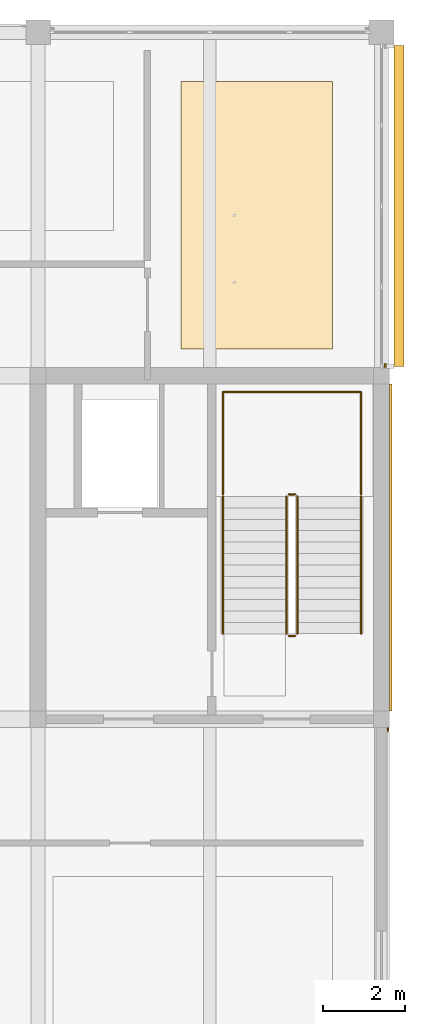
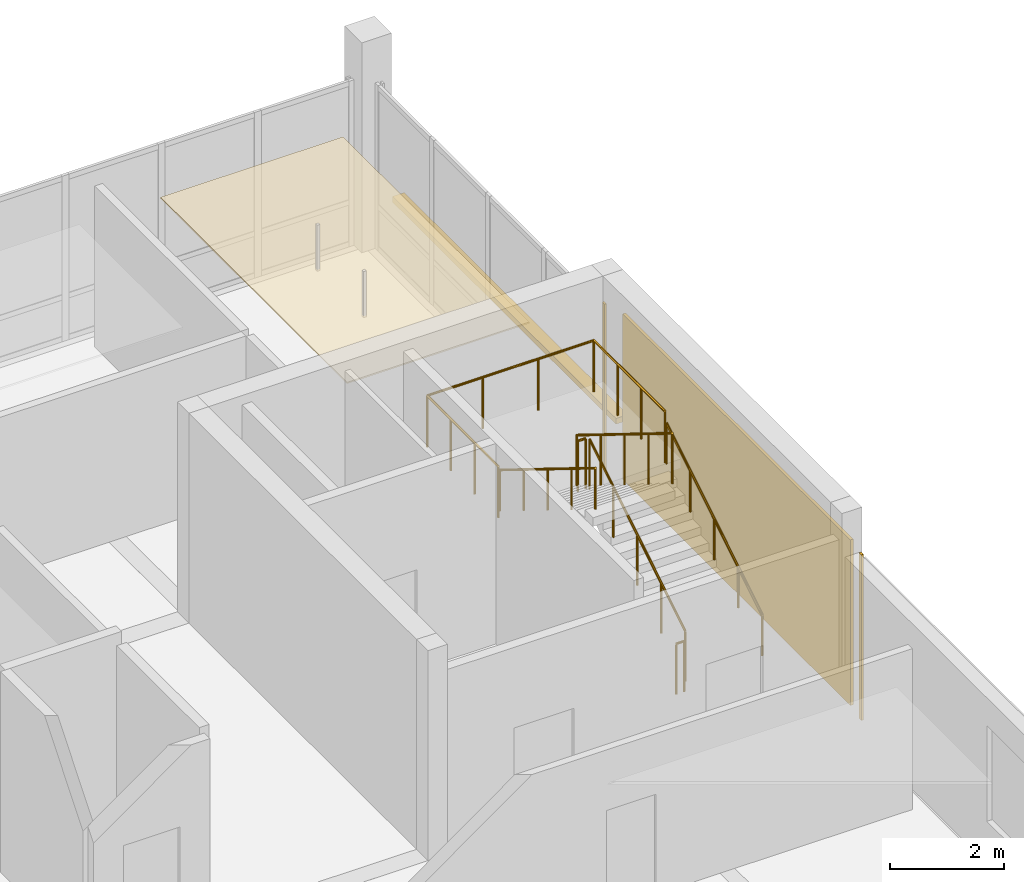
# One storey, part 28 of 30: 7 railings, 4 coverings, 1 shading device.
"""IFC4 building model written with IfcOpenShell, lengths in metres."""

import ifcopenshell
import ifcopenshell.guid

model = None  # the IFC model being written
_history = None  # IfcOwnerHistory: only IFC2X3 demands one
_inside = {}  # id of a spatial element -> (the spatial element, [elements in it])
_under = {}  # id of a project, library or spatial element -> (it, [spatial elements below it])
_declared = {}  # id of a project -> (the project, [libraries it declares])
_typed = {}  # id of a type object -> (the type object, [elements of that type])
_made_of = {}  # id of a material, layer set ... -> (it, [elements and type objects made of it])


def new_model(schema):
    """Start an empty IFC model of exactly this schema.

    Asked for "IFC4X3", IfcOpenShell would pick the latest addendum, in which some entities
    have other attributes; the version numbers below select the first issue.
    IFC2X3 requires an IfcOwnerHistory on every rooted entity: one is made here for all.
    """
    global model, _history
    if schema == "IFC4X3":
        model = ifcopenshell.file(schema_version=(4, 3, 0, 0))
    else:
        model = ifcopenshell.file(schema=schema)
    _inside.clear()
    _under.clear()
    _declared.clear()
    _typed.clear()
    _made_of.clear()
    _history = None
    if model.schema == "IFC2X3":
        org = make("IfcOrganization", Name="unknown")
        user = make(
            "IfcPersonAndOrganization",
            ThePerson=make("IfcPerson", FamilyName="unknown"),
            TheOrganization=org,
        )
        app = make(
            "IfcApplication",
            ApplicationDeveloper=org,
            Version="unknown",
            ApplicationFullName="unknown",
            ApplicationIdentifier="unknown",
        )
        _history = make(
            "IfcOwnerHistory",
            OwningUser=user,
            OwningApplication=app,
            ChangeAction="ADDED",
            CreationDate=0,
        )
    return model


def make(cls, **values):
    """One entity of the class cls with the attributes given. An attribute that is None is left unset."""
    return model.create_entity(
        cls, **{name: value for name, value in values.items() if value is not None}
    )


def rooted(cls, **values):
    """An entity with a GlobalId (a new one), such as an element, a storey or a relation."""
    return make(cls, GlobalId=ifcopenshell.guid.new(), OwnerHistory=_history, **values)


def si_unit(unit_type, name, prefix=None):
    """IfcSIUnit, for example si_unit("LENGTHUNIT", "METRE", prefix="MILLI")."""
    return make("IfcSIUnit", UnitType=unit_type, Prefix=prefix, Name=name)


def assignment(units):
    """IfcUnitAssignment: the units of a project."""
    return None if units is None else make("IfcUnitAssignment", Units=units)


def point(xyz):
    """IfcCartesianPoint."""
    return None if xyz is None else make("IfcCartesianPoint", Coordinates=xyz)


def direction(xyz):
    """IfcDirection."""
    return None if xyz is None else make("IfcDirection", DirectionRatios=xyz)


def frame(location, z_axis=None, x_axis=None):
    """IfcAxis2Placement3D, a coordinate frame: its origin and axes. An axis left out is left unset."""
    return make(
        "IfcAxis2Placement3D",
        Location=point(location),
        Axis=direction(z_axis),
        RefDirection=direction(x_axis),
    )


def frame_2d(location, x_axis=None):
    """IfcAxis2Placement2D, a coordinate frame in the plane: its origin and x axis."""
    return make(
        "IfcAxis2Placement2D", Location=point(location), RefDirection=direction(x_axis)
    )


def origin():
    """The frame at (0, 0, 0) with its axes left unset."""
    return frame((0.0, 0.0, 0.0))


def origin_2d():
    """The frame at (0, 0) in the plane with its x axis left unset."""
    return frame_2d((0.0, 0.0))


def place(relative_to, where):
    """IfcLocalPlacement: puts the frame where relative to a parent placement (None: the world)."""
    return make(
        "IfcLocalPlacement", PlacementRelTo=relative_to, RelativePlacement=where
    )


def context(
    kind, dimensions, precision=None, world=None, true_north=None, identifier=None
):
    """IfcGeometricRepresentationContext, for example the 3D "Model" context."""
    return make(
        "IfcGeometricRepresentationContext",
        ContextIdentifier=identifier,
        ContextType=kind,
        CoordinateSpaceDimension=dimensions,
        Precision=precision,
        WorldCoordinateSystem=world,
        TrueNorth=true_north,
    )


def subcontext(parent, identifier, kind, view, scale=None):
    """IfcGeometricRepresentationSubContext, for example "Body" below "Model"."""
    return make(
        "IfcGeometricRepresentationSubContext",
        ContextIdentifier=identifier,
        ContextType=kind,
        ParentContext=parent,
        TargetScale=scale,
        TargetView=view,
    )


def project(units=None, contexts=None):
    """IfcProject with its units and contexts."""
    return rooted(
        "IfcProject",
        Name="project",
        RepresentationContexts=contexts,
        UnitsInContext=assignment(units),
    )


def spatial(cls, under=None, at=None, **own):
    """A site, building, storey or space (cls), placed at a placement, below another one or the project."""
    s = rooted(cls, ObjectPlacement=at, **own)
    if under is not None:
        _under.setdefault(under.id(), (under, []))[1].append(s)
    return s


def polyline(points):
    """IfcPolyline through the points."""
    return make("IfcPolyline", Points=[point(p) for p in points])


def profile(cls, at=None, kind="AREA", **sizes):
    """A parametric profile (cls). Its sizes go by their IFC names, for example OverallWidth=200.0."""
    return make(cls, ProfileType=kind, Position=at, **sizes)


def rectangle(**sizes):
    """IfcRectangleProfileDef."""
    return profile("IfcRectangleProfileDef", **sizes)


def circle(**sizes):
    """IfcCircleProfileDef."""
    return profile("IfcCircleProfileDef", **sizes)


def outline(outer, holes=None, kind="AREA"):
    """IfcArbitraryClosedProfileDef: a profile drawn as a closed curve; with holes, ...WithVoids."""
    if holes is None:
        return make("IfcArbitraryClosedProfileDef", ProfileType=kind, OuterCurve=outer)
    return make(
        "IfcArbitraryProfileDefWithVoids",
        ProfileType=kind,
        OuterCurve=outer,
        InnerCurves=holes,
    )


def extrude(swept, where, along, depth):
    """IfcExtrudedAreaSolid: the profile swept, set in the frame where, extruded along a direction by depth."""
    return make(
        "IfcExtrudedAreaSolid",
        SweptArea=swept,
        Position=where,
        ExtrudedDirection=direction(along),
        Depth=depth,
    )


def shape(context_of_items, identifier, shape_type, items):
    """IfcShapeRepresentation: the items that make up one representation, for example the "Body"."""
    return make(
        "IfcShapeRepresentation",
        ContextOfItems=context_of_items,
        RepresentationIdentifier=identifier,
        RepresentationType=shape_type,
        Items=items,
    )


def material(Name=None, Category=None):
    """IfcMaterial."""
    return make("IfcMaterial", Name=Name, Category=Category)


def layer(
    of_material, thickness, ventilated=None, Name=None, Category=None, Priority=None
):
    """IfcMaterialLayer: one layer of a wall or slab, of a material (None: an air gap)."""
    return make(
        "IfcMaterialLayer",
        Material=of_material,
        LayerThickness=thickness,
        IsVentilated=ventilated,
        Name=Name,
        Category=Category,
        Priority=Priority,
    )


def layer_set(layers, Name=None):
    """IfcMaterialLayerSet."""
    return make("IfcMaterialLayerSet", MaterialLayers=layers, LayerSetName=Name)


def made_of(thing, what):
    """Note that an element or type object is made of a material, layer set ...; save() writes the relation."""
    if what is not None:
        _made_of.setdefault(what.id(), (what, []))[1].append(thing)
    return thing


def type_object(cls, material=None, **own):
    """A type object (cls), such as IfcWallType, which elements share."""
    return made_of(rooted(cls, **own), material)


def element(
    cls,
    number,
    at=None,
    inside=None,
    cuts=None,
    type_object=None,
    material=None,
    context=None,
    identifier="Body",
    shape_type=None,
    held_by="IfcProductDefinitionShape",
    body=None,
    shapes=None,
    **own,
):
    """One element of the class cls, such as IfcWall. Its Tag is "e" and its number.

    at: its placement. inside: the storey or other place that contains it. cuts: it is an
    opening in that element (IfcRelVoidsElement). A single representation is given by context,
    identifier, shape_type and body (its items); several are given by shapes. held_by: the class
    of the entity that holds the representations. save() writes the other relations.
    """
    e = rooted(cls, Tag="e%d" % number, ObjectPlacement=at, **own)
    if body is not None:
        shapes = [shape(context, identifier, shape_type, body)]
    if shapes is not None:
        e.Representation = make(held_by, Representations=shapes)
    if inside is not None:
        _inside.setdefault(inside.id(), (inside, []))[1].append(e)
    if cuts is not None:
        rooted(
            "IfcRelVoidsElement", RelatingBuildingElement=cuts, RelatedOpeningElement=e
        )
    if type_object is not None:
        _typed.setdefault(type_object.id(), (type_object, []))[1].append(e)
    return made_of(e, material)


def aggregate(whole, parts):
    """IfcRelAggregates: a whole, such as a stair, and the parts it consists of."""
    return rooted("IfcRelAggregates", RelatingObject=whole, RelatedObjects=parts)


def save(model, path):
    """Write the relations noted so far, then the file.

    IfcRelAggregates (storeys below a building ...), IfcRelContainedInSpatialStructure (elements
    in a storey), IfcRelDefinesByType, IfcRelAssociatesMaterial and IfcRelDeclares: one each for
    every whole, place, type object, material and project.
    """
    for whole, parts in _under.values():
        aggregate(whole, parts)
    for where, things in _inside.values():
        rooted(
            "IfcRelContainedInSpatialStructure",
            RelatedElements=things,
            RelatingStructure=where,
        )
    for kind, things in _typed.values():
        rooted("IfcRelDefinesByType", RelatedObjects=things, RelatingType=kind)
    for what, things in _made_of.values():
        rooted("IfcRelAssociatesMaterial", RelatedObjects=things, RelatingMaterial=what)
    for by, libraries in _declared.values():
        rooted("IfcRelDeclares", RelatingContext=by, RelatedDefinitions=libraries)
    model.write(path)


model = new_model("IFC4")

# Units and contexts
model_context = context("Model", 3, precision=1e-05, world=origin(), true_north=direction((0.0, 1.0)))
body_context = subcontext(model_context, "Body", "Model", "MODEL_VIEW")
ifc_project = project(units=[si_unit("LENGTHUNIT", "METRE"), si_unit("AREAUNIT", "SQUARE_METRE"), si_unit("VOLUMEUNIT", "CUBIC_METRE"), si_unit("PLANEANGLEUNIT", "RADIAN"), si_unit("MASSUNIT", "GRAM", prefix="KILO")], contexts=[model_context])

# Site, building, storey
site_placement = place(None, origin())
site = spatial("IfcSite", under=ifc_project, at=site_placement, CompositionType="ELEMENT")
building_placement = place(site_placement, origin())
building = spatial("IfcBuilding", under=site, at=building_placement, Name="Telukmera Botanical Conservatory", CompositionType="ELEMENT")
storey_placement = place(building_placement, frame((0.0, 0.0, 60.0)))
storey = spatial("IfcBuildingStorey", under=building, at=storey_placement, Name="L13", CompositionType="ELEMENT", Elevation=60.0)

# Coverings
ifc_material_1 = material(Name="Mineral fibre acoustic ceiling")
ifc_layer_1 = layer(ifc_material_1, 0.030029296875)
ifc_layer_set_1 = layer_set([ifc_layer_1], Name="Mineral fibre acoustic ceiling")
covering_type_1 = type_object("IfcCoveringType", Name="COV-CEIL-30", PredefinedType="CEILING", material=ifc_layer_set_1)
covering_1_placement = place(storey_placement, frame((0.0, 0.0, 3.320068359375)))
element("IfcCovering", 1, at=covering_1_placement, inside=storey, type_object=covering_type_1, Name="L13 Conservation Policy Seminar Room Suspended Acoustic Ceiling", PredefinedType="CEILING", context=body_context, shape_type="SweptSolid", body=[
    extrude(outline(polyline([(95.89990234375, 35.050048828125), (99.60009765625, 35.050048828125), (99.60009765625, 41.60009765625), (95.89990234375, 41.60009765625), (95.89990234375, 35.050048828125)])), origin(), (0.0, 0.0, 1.0), 0.030029296875),
])
ifc_material_2 = material(Name="Granite-faced precast concrete C40/50", Category="masonry")
ifc_layer_2 = layer(ifc_material_2, 0.0400390625)
ifc_layer_set_2 = layer_set([ifc_layer_2], Name="Granite-faced precast concrete C40/50")
covering_type_2 = type_object("IfcCoveringType", Name="Granite Precast Column Pier Reveal Casing", PredefinedType="CLADDING", material=ifc_layer_set_2)
for number, where, z_axis, x_axis, name in (
    (2, (100.9599609375, 25.748046875, 0.0), (0.0, 0.0, 1.0), (0.0, 1.0, 0.0), "Granite Pier Reveal V4:L13:E2 R"),
    (3, (100.889892578125, 34.652099609375, 0.0), (0.0, 0.0, 1.0), (0.0, 1.0, 0.0), "Granite Pier Reveal V4:L13:E4 L"),
):
    element("IfcCovering", number, at=place(storey_placement, frame(where, z_axis=z_axis, x_axis=x_axis)), inside=storey, type_object=covering_type_2, Name=name, PredefinedType="CLADDING", context=body_context, shape_type="SweptSolid", body=[
        extrude(rectangle(XDim=0.080078125, YDim=0.0400390625, at=origin_2d()), origin(), (0.0, 0.0, 1.0), 3.550048828125),
    ])

# Shading device
ifc_material_3 = material(Name="Perforated terracotta-anodised aluminium 6063-T6", Category="masonry")
ifc_layer_3 = layer(ifc_material_3, 0.044921875)
ifc_layer_set_3 = layer_set([ifc_layer_3], Name="Perforated terracotta-anodised aluminium 6063-T6")
shading_device_type = type_object("IfcShadingDeviceType", Name="Perforated Terracotta Aluminium Monsoon Brise Soleil", PredefinedType="JALOUSIE", material=ifc_layer_set_3)
shading_device_placement = place(storey_placement, frame((101.22998046875, 38.550048828125, 0.889892578125), z_axis=(0.0, 0.0, 1.0), x_axis=(0.0, 1.0, 0.0)))
element("IfcShadingDevice", 4, at=shading_device_placement, inside=storey, type_object=shading_device_type, Name="Monsoon Shading BS01 V4:L13:E4", PredefinedType="JALOUSIE", context=body_context, shape_type="SweptSolid", body=[
    extrude(rectangle(XDim=7.85595703125, YDim=0.239990234375, at=origin_2d()), origin(), (0.0, 0.0, 1.0), 0.1201171875),
])

# Railings
ifc_material_4 = material(Name="Steel S355", Category="steel")
railing_type_1 = type_object("IfcRailingType", Name="RL-GUARD-1100", PredefinedType="GUARDRAIL", material=ifc_material_4)
railing_1_placement = place(storey_placement, frame((98.739990234375, 28.090087890625, 0.173095703125)))
element("IfcRailing", 5, at=railing_1_placement, inside=storey, type_object=railing_type_1, Name="L13 ST2 stair guard 1", PredefinedType="GUARDRAIL", context=body_context, shape_type="SweptSolid", body=[
    extrude(circle(Radius=0.02392578125, at=origin_2d()), frame((0.0, 0.0, 1.076171875), z_axis=(0.0, 0.850606129759, 0.525803396734), x_axis=(-1.0, 0.0, 0.0)), (0.0, 0.0, 1.0), 3.949951171875),
    extrude(circle(Radius=0.02099609375, at=origin_2d()), origin(), (0.0, 0.0, 1.0), 1.052001953125),
    extrude(circle(Radius=0.02099609375, at=origin_2d()), frame((0.0, 0.83984375, 0.519287109375)), (0.0, 0.0, 1.0), 1.052001953125),
    extrude(circle(Radius=0.02099609375, at=origin_2d()), frame((0.0, 1.679931640625, 1.03857421875)), (0.0, 0.0, 1.0), 1.052001953125),
    extrude(circle(Radius=0.02099609375, at=origin_2d()), frame((0.0, 2.52001953125, 1.5576171875)), (0.0, 0.0, 1.0), 1.052001953125),
    extrude(circle(Radius=0.02099609375, at=origin_2d()), frame((0.0, 3.35986328125, 2.076904296875)), (0.0, 0.0, 1.0), 1.052001953125),
])
railing_2_placement = place(storey_placement, frame((98.68994140625, 31.5, 2.25)))
element("IfcRailing", 6, at=railing_2_placement, inside=storey, type_object=railing_type_1, Name="L13 ST2 stair guard 2", PredefinedType="GUARDRAIL", context=body_context, shape_type="SweptSolid", body=[
    extrude(circle(Radius=0.02392578125, at=origin_2d()), frame((0.0, 0.0, 1.076171875), z_axis=(-1.0, 0.0, 0.0), x_axis=(0.0, -1.0, 0.0)), (0.0, 0.0, 1.0), 0.159912109375),
    extrude(circle(Radius=0.02099609375, at=origin_2d()), origin(), (0.0, 0.0, 1.0), 1.052001953125),
    extrude(circle(Radius=0.02099609375, at=origin_2d()), frame((-0.159912109375, 0.0, 0.0)), (0.0, 0.0, 1.0), 1.052001953125),
])
railing_3_placement = place(storey_placement, frame((98.47998046875, 31.449951171875, 2.423095703125)))
element("IfcRailing", 7, at=railing_3_placement, inside=storey, type_object=railing_type_1, Name="L13 ST2 stair guard 3", PredefinedType="GUARDRAIL", context=body_context, shape_type="SweptSolid", body=[
    extrude(circle(Radius=0.02392578125, at=origin_2d()), frame((0.0, 0.0, 1.076171875), z_axis=(0.0, -0.850606129759, 0.525803396734), x_axis=(1.0, 0.0, 0.0)), (0.0, 0.0, 1.0), 3.949951171875),
    extrude(circle(Radius=0.02099609375, at=origin_2d()), origin(), (0.0, 0.0, 1.0), 1.052001953125),
    extrude(circle(Radius=0.02099609375, at=origin_2d()), frame((0.0, -0.83984375, 0.519287109375)), (0.0, 0.0, 1.0), 1.052001953125),
    extrude(circle(Radius=0.02099609375, at=origin_2d()), frame((0.0, -1.679931640625, 1.03857421875)), (0.0, 0.0, 1.0), 1.052001953125),
    extrude(circle(Radius=0.02099609375, at=origin_2d()), frame((0.0, -2.52001953125, 1.5576171875)), (0.0, 0.0, 1.0), 1.052001953125),
    extrude(circle(Radius=0.02099609375, at=origin_2d()), frame((0.0, -3.35986328125, 2.076904296875)), (0.0, 0.0, 1.0), 1.052001953125),
])
railing_4_placement = place(storey_placement, frame((98.68994140625, 28.0400390625, 0.0)))
element("IfcRailing", 8, at=railing_4_placement, inside=storey, type_object=railing_type_1, Name="L13 ST2 stair guard 4", PredefinedType="GUARDRAIL", context=body_context, shape_type="SweptSolid", body=[
    extrude(circle(Radius=0.02392578125, at=origin_2d()), frame((0.0, 0.0, 1.076171875), z_axis=(-1.0, 0.0, 0.0), x_axis=(0.0, -1.0, 0.0)), (0.0, 0.0, 1.0), 0.159912109375),
    extrude(circle(Radius=0.02099609375, at=origin_2d()), origin(), (0.0, 0.0, 1.0), 1.052001953125),
    extrude(circle(Radius=0.02099609375, at=origin_2d()), frame((-0.159912109375, 0.0, 0.0)), (0.0, 0.0, 1.0), 1.052001953125),
])
railing_5_placement = place(storey_placement, frame((100.300048828125, 31.5, 2.25)))
element("IfcRailing", 9, at=railing_5_placement, inside=storey, type_object=railing_type_1, Name="L13 ST2 half-landing perimeter guard 1", PredefinedType="GUARDRAIL", context=body_context, shape_type="SweptSolid", body=[
    extrude(circle(Radius=0.02392578125, at=origin_2d()), frame((0.0, 0.0, 1.09619140625), z_axis=(0.0, 1.0, 0.0), x_axis=(-1.0, 0.0, 0.0)), (0.0, 0.0, 1.0), 2.5),
    extrude(circle(Radius=0.02392578125, at=origin_2d()), frame((0.0, 2.5, 1.09619140625), z_axis=(-1.0, 0.0, 0.0), x_axis=(0.0, -1.0, 0.0)), (0.0, 0.0, 1.0), 3.380126953125),
    extrude(circle(Radius=0.02392578125, at=origin_2d()), frame((-3.380126953125, 2.5, 1.09619140625), z_axis=(0.0, -1.0, 0.0), x_axis=(1.0, 0.0, 0.0)), (0.0, 0.0, 1.0), 2.5),
    extrude(circle(Radius=0.02099609375, at=origin_2d()), origin(), (0.0, 0.0, 1.0), 1.072021484375),
    extrude(circle(Radius=0.02099609375, at=origin_2d()), frame((0.0, 0.833251953125, 0.0)), (0.0, 0.0, 1.0), 1.072021484375),
    extrude(circle(Radius=0.02099609375, at=origin_2d()), frame((0.0, 1.666748046875, 0.0)), (0.0, 0.0, 1.0), 1.072021484375),
    extrude(circle(Radius=0.02099609375, at=origin_2d()), frame((0.0, 2.5, 0.0)), (0.0, 0.0, 1.0), 1.072021484375),
    extrude(circle(Radius=0.02099609375, at=origin_2d()), frame((-1.126708984375, 2.5, 0.0)), (0.0, 0.0, 1.0), 1.072021484375),
    extrude(circle(Radius=0.02099609375, at=origin_2d()), frame((-2.25341796875, 2.5, 0.0)), (0.0, 0.0, 1.0), 1.072021484375),
    extrude(circle(Radius=0.02099609375, at=origin_2d()), frame((-3.380126953125, 2.5, 0.0)), (0.0, 0.0, 1.0), 1.072021484375),
    extrude(circle(Radius=0.02099609375, at=origin_2d()), frame((-3.380126953125, 1.666748046875, 0.0)), (0.0, 0.0, 1.0), 1.072021484375),
    extrude(circle(Radius=0.02099609375, at=origin_2d()), frame((-3.380126953125, 0.833251953125, 0.0)), (0.0, 0.0, 1.0), 1.072021484375),
    extrude(circle(Radius=0.02099609375, at=origin_2d()), frame((-3.380126953125, 0.0, 0.0)), (0.0, 0.0, 1.0), 1.072021484375),
])
ifc_material_5 = material(Name="Stainless steel 316", Category="steel")
railing_type_2 = type_object("IfcRailingType", Name="RL-HAND-900", PredefinedType="HANDRAIL", material=ifc_material_5)
railing_6_placement = place(storey_placement, frame((100.300048828125, 28.090087890625, 0.173095703125)))
element("IfcRailing", 10, at=railing_6_placement, inside=storey, type_object=railing_type_2, Name="L13 ST2 stair handrail 1", PredefinedType="HANDRAIL", context=body_context, shape_type="SweptSolid", body=[
    extrude(circle(Radius=0.02392578125, at=origin_2d()), frame((0.0, 0.0, 0.8759765625), z_axis=(0.0, 0.850606129759, 0.525803396734), x_axis=(-1.0, 0.0, 0.0)), (0.0, 0.0, 1.0), 3.949951171875),
    extrude(circle(Radius=0.02099609375, at=origin_2d()), origin(), (0.0, 0.0, 1.0), 0.851806640625),
    extrude(circle(Radius=0.02099609375, at=origin_2d()), frame((0.0, 0.83984375, 0.519287109375)), (0.0, 0.0, 1.0), 0.851806640625),
    extrude(circle(Radius=0.02099609375, at=origin_2d()), frame((0.0, 1.679931640625, 1.03857421875)), (0.0, 0.0, 1.0), 0.851806640625),
    extrude(circle(Radius=0.02099609375, at=origin_2d()), frame((0.0, 2.52001953125, 1.5576171875)), (0.0, 0.0, 1.0), 0.851806640625),
    extrude(circle(Radius=0.02099609375, at=origin_2d()), frame((0.0, 3.35986328125, 2.076904296875)), (0.0, 0.0, 1.0), 0.851806640625),
])
railing_7_placement = place(storey_placement, frame((96.919921875, 31.449951171875, 2.423095703125)))
element("IfcRailing", 11, at=railing_7_placement, inside=storey, type_object=railing_type_2, Name="L13 ST2 stair handrail 2", PredefinedType="HANDRAIL", context=body_context, shape_type="SweptSolid", body=[
    extrude(circle(Radius=0.02392578125, at=origin_2d()), frame((0.0, 0.0, 0.8759765625), z_axis=(0.0, -0.850606129759, 0.525803396734), x_axis=(1.0, 0.0, 0.0)), (0.0, 0.0, 1.0), 3.949951171875),
    extrude(circle(Radius=0.02099609375, at=origin_2d()), origin(), (0.0, 0.0, 1.0), 0.851806640625),
    extrude(circle(Radius=0.02099609375, at=origin_2d()), frame((0.0, -0.83984375, 0.519287109375)), (0.0, 0.0, 1.0), 0.851806640625),
    extrude(circle(Radius=0.02099609375, at=origin_2d()), frame((0.0, -1.679931640625, 1.03857421875)), (0.0, 0.0, 1.0), 0.851806640625),
    extrude(circle(Radius=0.02099609375, at=origin_2d()), frame((0.0, -2.52001953125, 1.5576171875)), (0.0, 0.0, 1.0), 0.851806640625),
    extrude(circle(Radius=0.02099609375, at=origin_2d()), frame((0.0, -3.35986328125, 2.076904296875)), (0.0, 0.0, 1.0), 0.851806640625),
])

# Covering
ifc_material_6 = material(Name="Terracotta-faced precast concrete C40/50", Category="masonry")
ifc_layer_4 = layer(ifc_material_6, 0.06005859375)
ifc_layer_set_4 = layer_set([ifc_layer_4], Name="Terracotta-faced precast concrete C40/50")
covering_type_3 = type_object("IfcCoveringType", Name="Terracotta Core Perimeter Cladding Panel", PredefinedType="CLADDING", material=ifc_layer_set_4)
covering_2_placement = place(storey_placement, frame((101.030029296875, 30.199951171875, 0.0), z_axis=(0.0, 0.0, 1.0), x_axis=(0.0, 1.0, 0.0)))
element("IfcCovering", 12, at=covering_2_placement, inside=storey, type_object=covering_type_3, Name="Core Perimeter Terracotta Cladding V4:L13:E3", PredefinedType="CLADDING", context=body_context, shape_type="SweptSolid", body=[
    extrude(rectangle(XDim=7.99609375, YDim=0.06005859375, at=origin_2d()), origin(), (0.0, 0.0, 1.0), 3.550048828125),
])

save(model, "model.ifc")
